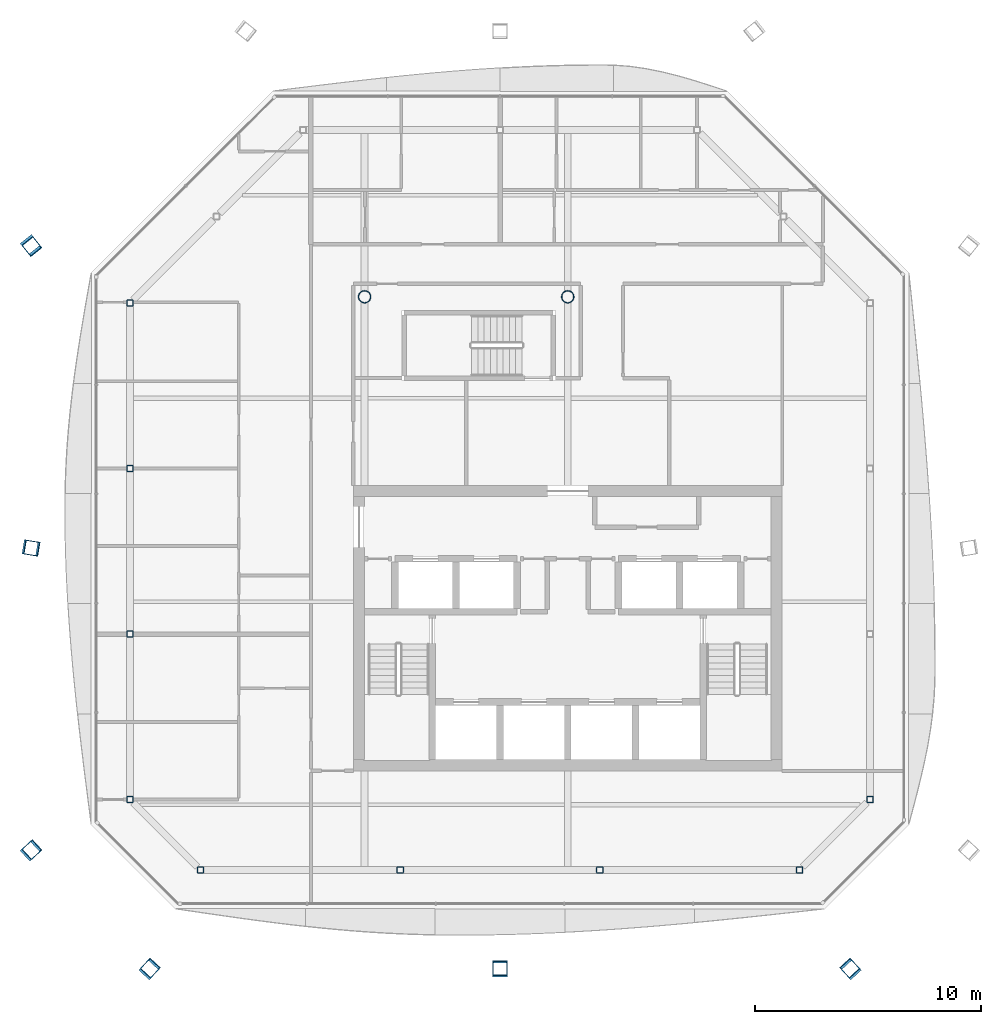
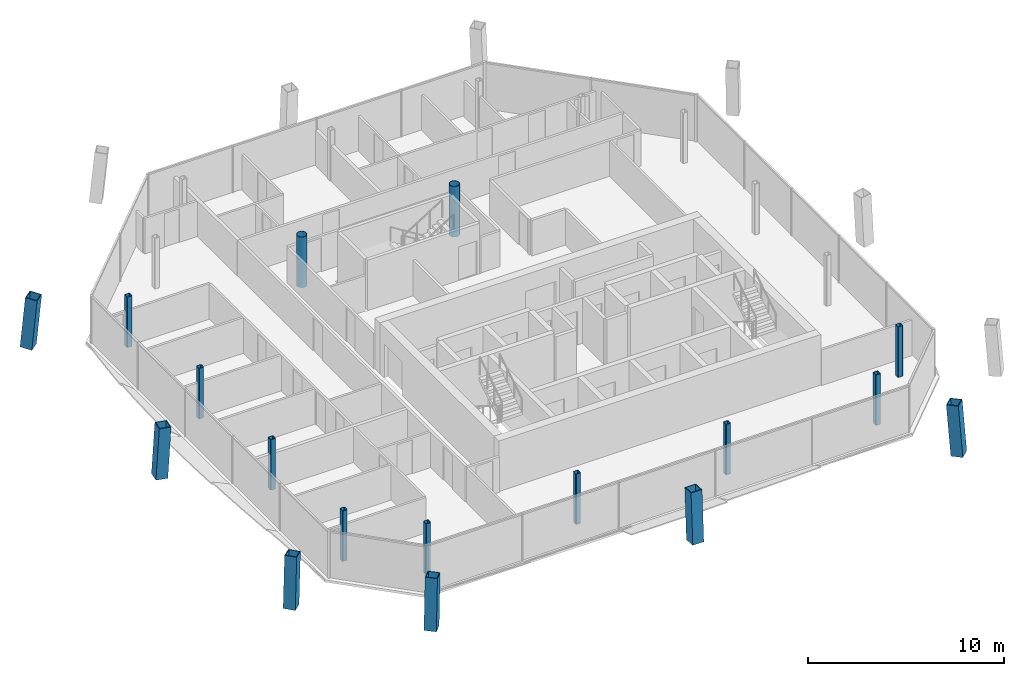
# One storey, part 1 of 15: 17 columns.
"""IFC4 building model written with IfcOpenShell, lengths in metres."""

import ifcopenshell
import ifcopenshell.guid

model = None  # the IFC model being written
_history = None  # IfcOwnerHistory: only IFC2X3 demands one
_inside = {}  # id of a spatial element -> (the spatial element, [elements in it])
_under = {}  # id of a project, library or spatial element -> (it, [spatial elements below it])
_declared = {}  # id of a project -> (the project, [libraries it declares])
_typed = {}  # id of a type object -> (the type object, [elements of that type])
_made_of = {}  # id of a material, layer set ... -> (it, [elements and type objects made of it])


def new_model(schema):
    """Start an empty IFC model of exactly this schema.

    Asked for "IFC4X3", IfcOpenShell would pick the latest addendum, in which some entities
    have other attributes; the version numbers below select the first issue.
    IFC2X3 requires an IfcOwnerHistory on every rooted entity: one is made here for all.
    """
    global model, _history
    if schema == "IFC4X3":
        model = ifcopenshell.file(schema_version=(4, 3, 0, 0))
    else:
        model = ifcopenshell.file(schema=schema)
    _inside.clear()
    _under.clear()
    _declared.clear()
    _typed.clear()
    _made_of.clear()
    _history = None
    if model.schema == "IFC2X3":
        org = make("IfcOrganization", Name="unknown")
        user = make(
            "IfcPersonAndOrganization",
            ThePerson=make("IfcPerson", FamilyName="unknown"),
            TheOrganization=org,
        )
        app = make(
            "IfcApplication",
            ApplicationDeveloper=org,
            Version="unknown",
            ApplicationFullName="unknown",
            ApplicationIdentifier="unknown",
        )
        _history = make(
            "IfcOwnerHistory",
            OwningUser=user,
            OwningApplication=app,
            ChangeAction="ADDED",
            CreationDate=0,
        )
    return model


def make(cls, **values):
    """One entity of the class cls with the attributes given. An attribute that is None is left unset."""
    return model.create_entity(
        cls, **{name: value for name, value in values.items() if value is not None}
    )


def rooted(cls, **values):
    """An entity with a GlobalId (a new one), such as an element, a storey or a relation."""
    return make(cls, GlobalId=ifcopenshell.guid.new(), OwnerHistory=_history, **values)


def si_unit(unit_type, name, prefix=None):
    """IfcSIUnit, for example si_unit("LENGTHUNIT", "METRE", prefix="MILLI")."""
    return make("IfcSIUnit", UnitType=unit_type, Prefix=prefix, Name=name)


def assignment(units):
    """IfcUnitAssignment: the units of a project."""
    return None if units is None else make("IfcUnitAssignment", Units=units)


def point(xyz):
    """IfcCartesianPoint."""
    return None if xyz is None else make("IfcCartesianPoint", Coordinates=xyz)


def direction(xyz):
    """IfcDirection."""
    return None if xyz is None else make("IfcDirection", DirectionRatios=xyz)


def frame(location, z_axis=None, x_axis=None):
    """IfcAxis2Placement3D, a coordinate frame: its origin and axes. An axis left out is left unset."""
    return make(
        "IfcAxis2Placement3D",
        Location=point(location),
        Axis=direction(z_axis),
        RefDirection=direction(x_axis),
    )


def frame_2d(location, x_axis=None):
    """IfcAxis2Placement2D, a coordinate frame in the plane: its origin and x axis."""
    return make(
        "IfcAxis2Placement2D", Location=point(location), RefDirection=direction(x_axis)
    )


def origin():
    """The frame at (0, 0, 0) with its axes left unset."""
    return frame((0.0, 0.0, 0.0))


def origin_2d():
    """The frame at (0, 0) in the plane with its x axis left unset."""
    return frame_2d((0.0, 0.0))


def place(relative_to, where):
    """IfcLocalPlacement: puts the frame where relative to a parent placement (None: the world)."""
    return make(
        "IfcLocalPlacement", PlacementRelTo=relative_to, RelativePlacement=where
    )


def context(
    kind, dimensions, precision=None, world=None, true_north=None, identifier=None
):
    """IfcGeometricRepresentationContext, for example the 3D "Model" context."""
    return make(
        "IfcGeometricRepresentationContext",
        ContextIdentifier=identifier,
        ContextType=kind,
        CoordinateSpaceDimension=dimensions,
        Precision=precision,
        WorldCoordinateSystem=world,
        TrueNorth=true_north,
    )


def subcontext(parent, identifier, kind, view, scale=None):
    """IfcGeometricRepresentationSubContext, for example "Body" below "Model"."""
    return make(
        "IfcGeometricRepresentationSubContext",
        ContextIdentifier=identifier,
        ContextType=kind,
        ParentContext=parent,
        TargetScale=scale,
        TargetView=view,
    )


def project(units=None, contexts=None):
    """IfcProject with its units and contexts."""
    return rooted(
        "IfcProject",
        Name="project",
        RepresentationContexts=contexts,
        UnitsInContext=assignment(units),
    )


def spatial(cls, under=None, at=None, **own):
    """A site, building, storey or space (cls), placed at a placement, below another one or the project."""
    s = rooted(cls, ObjectPlacement=at, **own)
    if under is not None:
        _under.setdefault(under.id(), (under, []))[1].append(s)
    return s


def profile(cls, at=None, kind="AREA", **sizes):
    """A parametric profile (cls). Its sizes go by their IFC names, for example OverallWidth=200.0."""
    return make(cls, ProfileType=kind, Position=at, **sizes)


def hollow_rectangle(**sizes):
    """IfcRectangleHollowProfileDef."""
    return profile("IfcRectangleHollowProfileDef", **sizes)


def hollow_circle(**sizes):
    """IfcCircleHollowProfileDef."""
    return profile("IfcCircleHollowProfileDef", **sizes)


def extrude(swept, where, along, depth):
    """IfcExtrudedAreaSolid: the profile swept, set in the frame where, extruded along a direction by depth."""
    return make(
        "IfcExtrudedAreaSolid",
        SweptArea=swept,
        Position=where,
        ExtrudedDirection=direction(along),
        Depth=depth,
    )


def shape(context_of_items, identifier, shape_type, items):
    """IfcShapeRepresentation: the items that make up one representation, for example the "Body"."""
    return make(
        "IfcShapeRepresentation",
        ContextOfItems=context_of_items,
        RepresentationIdentifier=identifier,
        RepresentationType=shape_type,
        Items=items,
    )


def material(Name=None, Category=None):
    """IfcMaterial."""
    return make("IfcMaterial", Name=Name, Category=Category)


def material_profile(
    of_material, cross_section, Name=None, Category=None, Priority=None
):
    """IfcMaterialProfile: a cross section and its material."""
    return make(
        "IfcMaterialProfile",
        Name=Name,
        Material=of_material,
        Profile=cross_section,
        Priority=Priority,
        Category=Category,
    )


def profile_set(profiles, Name=None, composite=None):
    """IfcMaterialProfileSet."""
    return make(
        "IfcMaterialProfileSet",
        Name=Name,
        MaterialProfiles=profiles,
        CompositeProfile=composite,
    )


def made_of(thing, what):
    """Note that an element or type object is made of a material, layer set ...; save() writes the relation."""
    if what is not None:
        _made_of.setdefault(what.id(), (what, []))[1].append(thing)
    return thing


def type_object(cls, material=None, **own):
    """A type object (cls), such as IfcWallType, which elements share."""
    return made_of(rooted(cls, **own), material)


def element(
    cls,
    number,
    at=None,
    inside=None,
    cuts=None,
    type_object=None,
    material=None,
    context=None,
    identifier="Body",
    shape_type=None,
    held_by="IfcProductDefinitionShape",
    body=None,
    shapes=None,
    **own,
):
    """One element of the class cls, such as IfcWall. Its Tag is "e" and its number.

    at: its placement. inside: the storey or other place that contains it. cuts: it is an
    opening in that element (IfcRelVoidsElement). A single representation is given by context,
    identifier, shape_type and body (its items); several are given by shapes. held_by: the class
    of the entity that holds the representations. save() writes the other relations.
    """
    e = rooted(cls, Tag="e%d" % number, ObjectPlacement=at, **own)
    if body is not None:
        shapes = [shape(context, identifier, shape_type, body)]
    if shapes is not None:
        e.Representation = make(held_by, Representations=shapes)
    if inside is not None:
        _inside.setdefault(inside.id(), (inside, []))[1].append(e)
    if cuts is not None:
        rooted(
            "IfcRelVoidsElement", RelatingBuildingElement=cuts, RelatedOpeningElement=e
        )
    if type_object is not None:
        _typed.setdefault(type_object.id(), (type_object, []))[1].append(e)
    return made_of(e, material)


def aggregate(whole, parts):
    """IfcRelAggregates: a whole, such as a stair, and the parts it consists of."""
    return rooted("IfcRelAggregates", RelatingObject=whole, RelatedObjects=parts)


def save(model, path):
    """Write the relations noted so far, then the file.

    IfcRelAggregates (storeys below a building ...), IfcRelContainedInSpatialStructure (elements
    in a storey), IfcRelDefinesByType, IfcRelAssociatesMaterial and IfcRelDeclares: one each for
    every whole, place, type object, material and project.
    """
    for whole, parts in _under.values():
        aggregate(whole, parts)
    for where, things in _inside.values():
        rooted(
            "IfcRelContainedInSpatialStructure",
            RelatedElements=things,
            RelatingStructure=where,
        )
    for kind, things in _typed.values():
        rooted("IfcRelDefinesByType", RelatedObjects=things, RelatingType=kind)
    for what, things in _made_of.values():
        rooted("IfcRelAssociatesMaterial", RelatedObjects=things, RelatingMaterial=what)
    for by, libraries in _declared.values():
        rooted("IfcRelDeclares", RelatingContext=by, RelatedDefinitions=libraries)
    model.write(path)


model = new_model("IFC4")

# Units and contexts
model_context = context("Model", 3, precision=1e-05, world=origin(), true_north=direction((0.0, 1.0)))
body_context = subcontext(model_context, "Body", "Model", "MODEL_VIEW")
ifc_project = project(units=[si_unit("LENGTHUNIT", "METRE"), si_unit("AREAUNIT", "SQUARE_METRE"), si_unit("VOLUMEUNIT", "CUBIC_METRE"), si_unit("PLANEANGLEUNIT", "RADIAN"), si_unit("MASSUNIT", "GRAM", prefix="KILO")], contexts=[model_context])

# Site, building, storey
site_placement = place(None, origin())
site = spatial("IfcSite", under=ifc_project, at=site_placement, CompositionType="ELEMENT")
building_placement = place(site_placement, origin())
building = spatial("IfcBuilding", under=site, at=building_placement, Name="Tskaro Facet Tower", CompositionType="ELEMENT")
storey_placement = place(building_placement, frame((0.0, 0.0, 239.25)))
storey = spatial("IfcBuildingStorey", under=building, at=storey_placement, Name="L62", CompositionType="ELEMENT", Elevation=239.25)

# Columns
ifc_material_1 = material(Name="Steel S355J2", Category="steel")
ifc_material_profile_1 = material_profile(ifc_material_1, hollow_rectangle(XDim=0.64990234375, YDim=0.64990234375, WallThickness=0.0400390625, at=origin_2d()), Name="BOX 650x650x40")
ifc_profile_set_1 = profile_set([ifc_material_profile_1], Name="Steel S355J2")
column_type_1 = type_object("IfcColumnType", Name="BOX 650x650x40 mega column", PredefinedType="COLUMN", material=ifc_profile_set_1)
column_1_placement = place(storey_placement, frame((-18.552978515625, -20.805908203125, 0.0), z_axis=(0.052852898651, 0.057566388151, 0.996941664321), x_axis=(-0.736620357353, 0.676306475744, 0.0)))
element("IfcColumn", 1, at=column_1_placement, inside=storey, type_object=column_type_1, Name="BOX 650x650x40 MC01/5", PredefinedType="COLUMN", context=body_context, shape_type="SweptSolid", body=[
    extrude(hollow_rectangle(XDim=0.64990234375, YDim=0.64990234375, WallThickness=0.0400390625, at=origin_2d()), origin(), (0.0, 0.0, 1.0), 3.15966796875),
])
column_2_placement = place(storey_placement, frame((-3.0, -20.805908203125, 0.0), z_axis=(0.0, 0.057646960801, 0.998337031223), x_axis=(-1.0, 0.0, 0.0)))
element("IfcColumn", 2, at=column_2_placement, inside=storey, type_object=column_type_1, Name="BOX 650x650x40 MC02/5", PredefinedType="COLUMN", context=body_context, shape_type="SweptSolid", body=[
    extrude(hollow_rectangle(XDim=0.64990234375, YDim=0.64990234375, WallThickness=0.0400390625, at=origin_2d()), origin(), (0.0, 0.0, 1.0), 3.155029296875),
])
column_3_placement = place(storey_placement, frame((12.552978515625, -20.805908203125, 0.0), z_axis=(-0.052852898651, 0.057566388151, 0.996941664321), x_axis=(-0.736620357353, -0.676306475744, 0.0)))
element("IfcColumn", 3, at=column_3_placement, inside=storey, type_object=column_type_1, Name="BOX 650x650x40 MC03/5", PredefinedType="COLUMN", context=body_context, shape_type="SweptSolid", body=[
    extrude(hollow_rectangle(XDim=0.64990234375, YDim=0.64990234375, WallThickness=0.0400390625, at=origin_2d()), origin(), (0.0, 0.0, 1.0), 3.15966796875),
])
column_4_placement = place(storey_placement, frame((-23.805908203125, 11.30908203125, 0.0), z_axis=(0.057498274883, -0.071776369988, 0.995762070525), x_axis=(0.780459274208, 0.625206622887, 0.0)))
element("IfcColumn", 4, at=column_4_placement, inside=storey, type_object=column_type_1, Name="BOX 650x650x40 MC10/5", PredefinedType="COLUMN", context=body_context, shape_type="SweptSolid", body=[
    extrude(hollow_rectangle(XDim=0.64990234375, YDim=0.64990234375, WallThickness=0.0400390625, at=origin_2d()), origin(), (0.0, 0.0, 1.0), 3.163330078125),
])
column_5_placement = place(storey_placement, frame((-23.805908203125, -2.1220703125, 0.0), z_axis=(0.057644350039, -0.009517120879, 0.998291817716), x_axis=(0.162895476227, 0.986643331617, 0.0)))
element("IfcColumn", 5, at=column_5_placement, inside=storey, type_object=column_type_1, Name="BOX 650x650x40 MC11/5", PredefinedType="COLUMN", context=body_context, shape_type="SweptSolid", body=[
    extrude(hollow_rectangle(XDim=0.64990234375, YDim=0.64990234375, WallThickness=0.0400390625, at=origin_2d()), origin(), (0.0, 0.0, 1.0), 3.1552734375),
])
column_6_placement = place(storey_placement, frame((-23.805908203125, -15.552978515625, 0.0), z_axis=(0.057566388151, 0.052852898651, 0.996941664321), x_axis=(-0.676306475744, 0.736620357353, 0.0)))
element("IfcColumn", 6, at=column_6_placement, inside=storey, type_object=column_type_1, Name="BOX 650x650x40 MC12/5", PredefinedType="COLUMN", context=body_context, shape_type="SweptSolid", body=[
    extrude(hollow_rectangle(XDim=0.64990234375, YDim=0.64990234375, WallThickness=0.0400390625, at=origin_2d()), origin(), (0.0, 0.0, 1.0), 3.15966796875),
])
ifc_material_2 = material(Name="Steel S355J2H", Category="steel")
ifc_material_profile_2 = material_profile(ifc_material_2, hollow_circle(Radius=0.279541015625, WallThickness=0.02490234375, at=origin_2d()), Name="CHS 559x25")
ifc_profile_set_2 = profile_set([ifc_material_profile_2], Name="Steel S355J2H")
column_type_2 = type_object("IfcColumnType", Name="CHS 559x25 interior column", PredefinedType="COLUMN", material=ifc_profile_set_2)
for number, where, z_axis, x_axis, name in (
    (7, (-9.0, 9.0, 0.0), (0.0, 0.0, 1.0), (1.0, 0.0, 0.0), "CHS 559x25 C3E/5"),
    (8, (0.0, 9.0, 0.0), (0.0, 0.0, 1.0), (1.0, 0.0, 0.0), "CHS 559x25 C4E/5"),
):
    element("IfcColumn", number, at=place(storey_placement, frame(where, z_axis=z_axis, x_axis=x_axis)), inside=storey, type_object=column_type_2, Name=name, PredefinedType="COLUMN", context=body_context, shape_type="SweptSolid", body=[
        extrude(hollow_circle(Radius=0.279541015625, WallThickness=0.02490234375, at=origin_2d()), origin(), (0.0, 0.0, 1.0), 3.14990234375),
    ])
ifc_material_profile_3 = material_profile(ifc_material_2, hollow_rectangle(XDim=0.300048828125, YDim=0.300048828125, WallThickness=0.02001953125, InnerFilletRadius=0.030029296875, OuterFilletRadius=0.050048828125, at=origin_2d()), Name="SHS 300x300x20")
ifc_profile_set_3 = profile_set([ifc_material_profile_3], Name="Steel S355J2H")
column_type_3 = type_object("IfcColumnType", Name="SHS 300x300x20 ring column", PredefinedType="COLUMN", material=ifc_profile_set_3)
for number, where, z_axis, x_axis, name in (
    (9, (-16.26806640625, -16.39111328125, 0.0), (0.0, 0.0, 1.0), (1.0, 0.0, 0.0), "SHS 300x300x20 RS-1/5"),
    (10, (-7.423095703125, -16.39111328125, 0.0), (0.0, 0.0, 1.0), (1.0, 0.0, 0.0), "SHS 300x300x20 RS-2/5"),
    (11, (1.423095703125, -16.39111328125, 0.0), (0.0, 0.0, 1.0), (1.0, 0.0, 0.0), "SHS 300x300x20 RS-3/5"),
    (12, (10.26806640625, -16.39111328125, 0.0), (0.0, 0.0, 1.0), (1.0, 0.0, 0.0), "SHS 300x300x20 RSE-1/5"),
    (13, (13.39111328125, -13.26806640625, 0.0), (0.0, 0.0, 1.0), (1.0, 0.0, 0.0), "SHS 300x300x20 RE-1/5"),
    (14, (-19.39111328125, 8.72509765625, 0.0), (0.0, 0.0, 1.0), (1.0, 0.0, 0.0), "SHS 300x300x20 RW-1/5"),
    (15, (-19.39111328125, 1.39404296875, 0.0), (0.0, 0.0, 1.0), (1.0, 0.0, 0.0), "SHS 300x300x20 RW-2/5"),
    (16, (-19.39111328125, -5.93701171875, 0.0), (0.0, 0.0, 1.0), (1.0, 0.0, 0.0), "SHS 300x300x20 RW-3/5"),
    (17, (-19.39111328125, -13.26806640625, 0.0), (0.0, 0.0, 1.0), (1.0, 0.0, 0.0), "SHS 300x300x20 RSW-1/5"),
):
    element("IfcColumn", number, at=place(storey_placement, frame(where, z_axis=z_axis, x_axis=x_axis)), inside=storey, type_object=column_type_3, Name=name, PredefinedType="COLUMN", context=body_context, shape_type="SweptSolid", body=[
        extrude(hollow_rectangle(XDim=0.300048828125, YDim=0.300048828125, WallThickness=0.02001953125, InnerFilletRadius=0.030029296875, OuterFilletRadius=0.050048828125, at=origin_2d()), origin(), (0.0, 0.0, 1.0), 3.14990234375),
    ])

save(model, "model.ifc")
